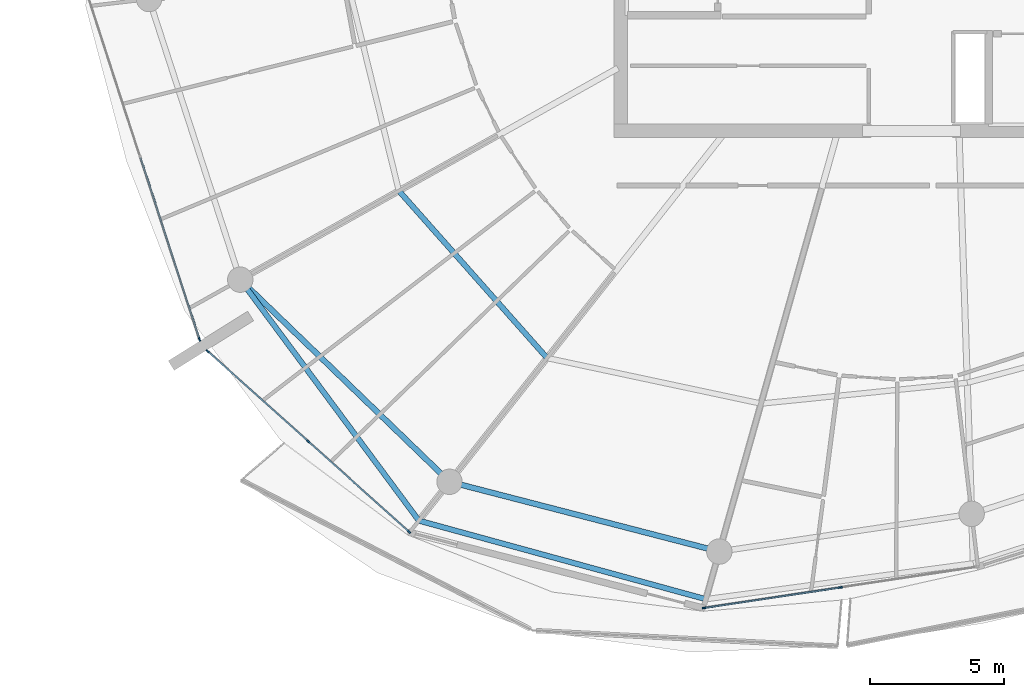
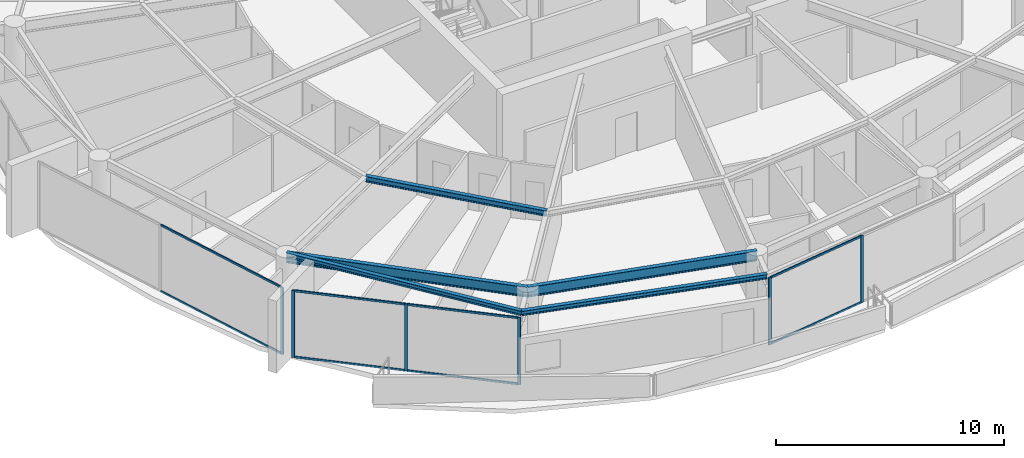
# One storey, part 5 of 29: 14 members, 5 beams, 3 elements without a shape of their own.
"""IFC4 building model written with IfcOpenShell, lengths in metres."""

from ifc_helpers import new_model, si_unit, direction, frame, origin, origin_2d, place, context, subcontext, project, spatial, rectangle, i_section, extrude, material, layer, layer_set, material_profile, profile_set, type_object, element, aggregate, save


model = new_model("IFC4")

# Units and contexts
model_context = context("Model", 3, precision=1e-05, world=origin(), true_north=direction((0.0, 1.0)))
body_context = subcontext(model_context, "Body", "Model", "MODEL_VIEW")
ifc_project = project(units=[si_unit("LENGTHUNIT", "METRE"), si_unit("AREAUNIT", "SQUARE_METRE"), si_unit("VOLUMEUNIT", "CUBIC_METRE"), si_unit("PLANEANGLEUNIT", "RADIAN"), si_unit("MASSUNIT", "GRAM", prefix="KILO")], contexts=[model_context])

# Site, building, storey
site_placement = place(None, origin())
site = spatial("IfcSite", under=ifc_project, at=site_placement, CompositionType="ELEMENT")
building_placement = place(site_placement, origin())
building = spatial("IfcBuilding", under=site, at=building_placement, Name="Kazma Halo Residences", CompositionType="ELEMENT")
storey_placement = place(building_placement, frame((0.0, 0.0, 286.75)))
storey = spatial("IfcBuildingStorey", under=building, at=storey_placement, Name="L72", CompositionType="ELEMENT", Elevation=286.75)

# Beams
ifc_material_1 = material(Name="Steel S355", Category="steel")
ifc_material_profile_1 = material_profile(ifc_material_1, i_section(OverallWidth=0.201904296875, OverallDepth=0.2470703125, WebThickness=0.00732421875, FlangeThickness=0.010986328125, FilletRadius=0.011962890625, at=origin_2d()), Name="W250x49.1")
ifc_profile_set_1 = profile_set([ifc_material_profile_1], Name="Steel S355")
beam_type_1 = type_object("IfcBeamType", Name="BM-BAL-CANT", PredefinedType="BEAM", material=ifc_profile_set_1)
beam_1_placement = place(storey_placement, frame((23.32958984375, 28.18408203125, 3.466552734375), z_axis=(0.595556062515, -0.803313747176, 0.0), x_axis=(0.803313747176, 0.595556062515, 0.0)))
element("IfcBeam", 1, at=beam_1_placement, inside=storey, type_object=beam_type_1, Name="L72 wave-balcony lead tie beam 09", PredefinedType="BEAM", context=body_context, shape_type="SweptSolid", body=[
    extrude(i_section(OverallWidth=0.201904296875, OverallDepth=0.2470703125, WebThickness=0.00732421875, FlangeThickness=0.010986328125, FilletRadius=0.011962890625, at=origin_2d()), origin(), (0.0, 0.0, 1.0), 11.213134765625),
])
beam_2_placement = place(storey_placement, frame((30.007568359375, 19.176513671875, 3.466552734375), z_axis=(0.964514665976, -0.264029277006, 0.0), x_axis=(0.264029277006, 0.964514665976, 0.0)))
element("IfcBeam", 2, at=beam_2_placement, inside=storey, type_object=beam_type_1, Name="L72 wave-balcony tie beam 10", PredefinedType="BEAM", context=body_context, shape_type="SweptSolid", body=[
    extrude(i_section(OverallWidth=0.201904296875, OverallDepth=0.2470703125, WebThickness=0.00732421875, FlangeThickness=0.010986328125, FilletRadius=0.011962890625, at=origin_2d()), origin(), (0.0, 0.0, 1.0), 11.1220703125),
])
ifc_material_profile_2 = material_profile(ifc_material_1, i_section(OverallWidth=0.202880859375, OverallDepth=0.302978515625, WebThickness=0.007568359375, FlangeThickness=0.01318359375, FilletRadius=0.013916015625, at=origin_2d()), Name="W310x60")
ifc_profile_set_2 = profile_set([ifc_material_profile_2], Name="Steel S355")
beam_type_2 = type_object("IfcBeamType", Name="BM-SEC-W310A", PredefinedType="JOIST", material=ifc_profile_set_2)
beam_3_placement = place(storey_placement, frame((29.26025390625, 31.505126953125, 3.4384765625), z_axis=(0.663307142238, -0.748347269024, 0.0), x_axis=(0.748347269024, 0.663307142238, 0.0)))
element("IfcBeam", 3, at=beam_3_placement, inside=storey, type_object=beam_type_2, Name="L72 circumferential floor joist 09", PredefinedType="JOIST", context=body_context, shape_type="SweptSolid", body=[
    extrude(i_section(OverallWidth=0.202880859375, OverallDepth=0.302978515625, WebThickness=0.007568359375, FlangeThickness=0.01318359375, FilletRadius=0.013916015625, at=origin_2d()), origin(), (0.0, 0.0, 1.0), 8.351318359375),
])
ifc_material_profile_3 = material_profile(ifc_material_1, i_section(OverallWidth=0.208984375, OverallDepth=0.532958984375, WebThickness=0.01025390625, FlangeThickness=0.015625, FilletRadius=0.01611328125, at=origin_2d()), Name="W530x92")
ifc_profile_set_3 = profile_set([ifc_material_profile_3], Name="Steel S355")
beam_type_3 = type_object("IfcBeamType", Name="BM-SPN-W530", PredefinedType="BEAM", material=ifc_profile_set_3)
beam_4_placement = place(storey_placement, frame((23.32958984375, 28.18408203125, 3.323486328125), z_axis=(0.719345757929, -0.694652201141, 0.0), x_axis=(0.694652201141, 0.719345757929, 0.0)))
element("IfcBeam", 4, at=beam_4_placement, inside=storey, type_object=beam_type_3, Name="L72 perimeter ring beam 09", PredefinedType="BEAM", context=body_context, shape_type="SweptSolid", body=[
    extrude(i_section(OverallWidth=0.208984375, OverallDepth=0.532958984375, WebThickness=0.01025390625, FlangeThickness=0.015625, FilletRadius=0.01611328125, at=origin_2d()), origin(), (0.0, 0.0, 1.0), 10.87548828125),
])
beam_5_placement = place(storey_placement, frame((31.15283203125, 20.62939453125, 3.323486328125), z_axis=(0.968126042852, -0.250463500639, 0.0), x_axis=(0.250463500639, 0.968126042852, 0.0)))
element("IfcBeam", 5, at=beam_5_placement, inside=storey, type_object=beam_type_3, Name="L72 perimeter ring beam 10", PredefinedType="BEAM", context=body_context, shape_type="SweptSolid", body=[
    extrude(i_section(OverallWidth=0.208984375, OverallDepth=0.532958984375, WebThickness=0.01025390625, FlangeThickness=0.015625, FilletRadius=0.01611328125, at=origin_2d()), origin(), (0.0, 0.0, 1.0), 10.416259765625),
])

# Curtain wall, member
ifc_material_2 = material(Name="Aluminium AW-6063 T6 and Triple-Silver Low-E Glass", Category="aluminium")
ifc_layer = layer(ifc_material_2, 0.139892578125)
ifc_layer_set = layer_set([ifc_layer], Name="Aluminium AW-6063 T6 and Triple-Silver Low-E Glass")
curtain_wall_type = type_object("IfcCurtainWallType", Name="CW-SYS-5", PredefinedType="NOTDEFINED", material=ifc_layer_set)
curtain_wall_1_placement = place(storey_placement, origin())
curtain_wall_1 = element("IfcCurtainWall", 6, at=curtain_wall_1_placement, inside=storey, type_object=curtain_wall_type, Name="L72 unitised curtain wall B08", PredefinedType="NOTDEFINED")
ifc_material_3 = material(Name="Aluminium AW-6063 T6", Category="aluminium")
ifc_material_profile_4 = material_profile(ifc_material_3, rectangle(XDim=0.06005859375, YDim=0.139892578125, at=origin_2d()), Name="CWM-60x140")
ifc_profile_set_4 = profile_set([ifc_material_profile_4], Name="Aluminium AW-6063 T6")
member_type_1 = type_object("IfcMemberType", Name="CW-SYS-5-MUL", PredefinedType="MULLION", material=ifc_profile_set_4)
member_1_placement = place(storey_placement, frame((21.8076171875, 25.9521484375, 0.0), z_axis=(0.0, 0.0, 1.0), x_axis=(0.951058464359, 0.309010998786, 0.0)))
member_1 = element("IfcMember", 7, at=member_1_placement, type_object=member_type_1, Name="CWS-5 mullion 3", PredefinedType="MULLION", context=body_context, shape_type="SweptSolid", body=[
    extrude(rectangle(XDim=0.06005859375, YDim=0.139892578125, at=origin_2d()), origin(), (0.0, 0.0, 1.0), 3.590087890625),
])

# Curtain wall, members
curtain_wall_2_placement = place(storey_placement, origin())
curtain_wall_2 = element("IfcCurtainWall", 8, at=curtain_wall_2_placement, inside=storey, type_object=curtain_wall_type, Name="L72 unitised curtain wall B09", PredefinedType="NOTDEFINED")
member_2_placement = place(storey_placement, frame((22.11669921875, 25.508056640625, 0.0), z_axis=(0.0, 0.0, 1.0), x_axis=(0.667804826958, 0.744336424671, 0.0)))
member_2 = element("IfcMember", 9, at=member_2_placement, type_object=member_type_1, Name="CWS-5 mullion 1", PredefinedType="MULLION", context=body_context, shape_type="SweptSolid", body=[
    extrude(rectangle(XDim=0.06005859375, YDim=0.139892578125, at=origin_2d()), origin(), (0.0, 0.0, 1.0), 3.590087890625),
])
member_3_placement = place(storey_placement, frame((25.878173828125, 22.13330078125, 0.0), z_axis=(0.0, 0.0, 1.0), x_axis=(0.667804826958, 0.744336424671, 0.0)))
member_3 = element("IfcMember", 10, at=member_3_placement, type_object=member_type_1, Name="CWS-5 mullion 2", PredefinedType="MULLION", context=body_context, shape_type="SweptSolid", body=[
    extrude(rectangle(XDim=0.06005859375, YDim=0.139892578125, at=origin_2d()), origin(), (0.0, 0.0, 1.0), 3.590087890625),
])
member_4_placement = place(storey_placement, frame((29.6396484375, 18.758544921875, 0.0), z_axis=(0.0, 0.0, 1.0), x_axis=(0.667804826958, 0.744336424671, 0.0)))
member_4 = element("IfcMember", 11, at=member_4_placement, type_object=member_type_1, Name="CWS-5 mullion 3", PredefinedType="MULLION", context=body_context, shape_type="SweptSolid", body=[
    extrude(rectangle(XDim=0.06005859375, YDim=0.139892578125, at=origin_2d()), origin(), (0.0, 0.0, 1.0), 3.590087890625),
])

curtain_wall_3_placement = place(storey_placement, origin())
curtain_wall_3 = element("IfcCurtainWall", 12, at=curtain_wall_3_placement, inside=storey, type_object=curtain_wall_type, Name="L72 unitised curtain wall B11", PredefinedType="NOTDEFINED")
member_5_placement = place(storey_placement, frame((40.671142578125, 15.912841796875, 0.0), z_axis=(0.0, 0.0, 1.0), x_axis=(-0.148697080374, 0.988882792998, 0.0)))
member_5 = element("IfcMember", 13, at=member_5_placement, type_object=member_type_1, Name="CWS-5 mullion 1", PredefinedType="MULLION", context=body_context, shape_type="SweptSolid", body=[
    extrude(rectangle(XDim=0.06005859375, YDim=0.139892578125, at=origin_2d()), origin(), (0.0, 0.0, 1.0), 3.590087890625),
])
member_6_placement = place(storey_placement, frame((45.7734375, 16.679931640625, 0.0), z_axis=(0.0, 0.0, 1.0), x_axis=(-0.148697080374, 0.988882792998, 0.0)))
member_6 = element("IfcMember", 14, at=member_6_placement, type_object=member_type_1, Name="CWS-5 mullion 2", PredefinedType="MULLION", context=body_context, shape_type="SweptSolid", body=[
    extrude(rectangle(XDim=0.06005859375, YDim=0.139892578125, at=origin_2d()), origin(), (0.0, 0.0, 1.0), 3.590087890625),
])

# Member
ifc_material_profile_5 = material_profile(ifc_material_3, rectangle(XDim=0.06005859375, YDim=0.10498046875, at=origin_2d()), Name="CWT-60x105")
ifc_profile_set_5 = profile_set([ifc_material_profile_5], Name="Aluminium AW-6063 T6")
member_type_2 = type_object("IfcMemberType", Name="CW-SYS-5-TRN", PredefinedType="USERDEFINED", material=ifc_profile_set_5)
member_7_placement = place(storey_placement, frame((19.6015625, 32.7412109375, 0.030029296875), z_axis=(0.309027052142, -0.95105324827, 0.0), x_axis=(0.95105324827, 0.309027052142, 0.0)))
member_7 = element("IfcMember", 15, at=member_7_placement, type_object=member_type_2, Name="CWS-5 transom 2.1", ObjectType="TRANSOM", PredefinedType="USERDEFINED", context=body_context, shape_type="SweptSolid", body=[
    extrude(rectangle(XDim=0.06005859375, YDim=0.10498046875, at=origin_2d()), origin(), (0.0, 0.0, 1.0), 7.108642578125),
])

member_8_placement = place(storey_placement, frame((19.6015625, 32.7412109375, 3.56005859375), z_axis=(0.309027052142, -0.95105324827, 0.0), x_axis=(0.95105324827, 0.309027052142, 0.0)))
member_8 = element("IfcMember", 16, at=member_8_placement, type_object=member_type_2, Name="CWS-5 transom 2.2", ObjectType="TRANSOM", PredefinedType="USERDEFINED", context=body_context, shape_type="SweptSolid", body=[
    extrude(rectangle(XDim=0.06005859375, YDim=0.10498046875, at=origin_2d()), origin(), (0.0, 0.0, 1.0), 7.108642578125),
])

aggregate(curtain_wall_1, [member_1, member_7, member_8])

member_9_placement = place(storey_placement, frame((22.138916015625, 25.488037109375, 0.030029296875), z_axis=(0.744328897483, -0.667813216679, 0.0), x_axis=(0.667813216679, 0.744328897483, 0.0)))
member_9 = element("IfcMember", 17, at=member_9_placement, type_object=member_type_2, Name="CWS-5 transom 1.1", ObjectType="TRANSOM", PredefinedType="USERDEFINED", context=body_context, shape_type="SweptSolid", body=[
    extrude(rectangle(XDim=0.06005859375, YDim=0.10498046875, at=origin_2d()), origin(), (0.0, 0.0, 1.0), 4.993408203125),
])

member_10_placement = place(storey_placement, frame((22.138916015625, 25.488037109375, 3.56005859375), z_axis=(0.744328897483, -0.667813216679, 0.0), x_axis=(0.667813216679, 0.744328897483, 0.0)))
member_10 = element("IfcMember", 18, at=member_10_placement, type_object=member_type_2, Name="CWS-5 transom 1.2", ObjectType="TRANSOM", PredefinedType="USERDEFINED", context=body_context, shape_type="SweptSolid", body=[
    extrude(rectangle(XDim=0.06005859375, YDim=0.10498046875, at=origin_2d()), origin(), (0.0, 0.0, 1.0), 4.993408203125),
])

member_11_placement = place(storey_placement, frame((25.900390625, 22.11328125, 0.030029296875), z_axis=(0.744350700793, -0.667788914425, 0.0), x_axis=(0.667788914425, 0.744350700793, 0.0)))
member_11 = element("IfcMember", 19, at=member_11_placement, type_object=member_type_2, Name="CWS-5 transom 2.1", ObjectType="TRANSOM", PredefinedType="USERDEFINED", context=body_context, shape_type="SweptSolid", body=[
    extrude(rectangle(XDim=0.06005859375, YDim=0.10498046875, at=origin_2d()), origin(), (0.0, 0.0, 1.0), 4.99365234375),
])

member_12_placement = place(storey_placement, frame((25.900390625, 22.11328125, 3.56005859375), z_axis=(0.744350700793, -0.667788914425, 0.0), x_axis=(0.667788914425, 0.744350700793, 0.0)))
member_12 = element("IfcMember", 20, at=member_12_placement, type_object=member_type_2, Name="CWS-5 transom 2.2", ObjectType="TRANSOM", PredefinedType="USERDEFINED", context=body_context, shape_type="SweptSolid", body=[
    extrude(rectangle(XDim=0.06005859375, YDim=0.10498046875, at=origin_2d()), origin(), (0.0, 0.0, 1.0), 4.99365234375),
])

aggregate(curtain_wall_2, [member_2, member_3, member_4, member_9, member_10, member_11, member_12])

member_13_placement = place(storey_placement, frame((40.70068359375, 15.917236328125, 0.030029296875), z_axis=(0.988883972013, 0.148689239341, 0.0), x_axis=(-0.148689239341, 0.988883972013, 0.0)))
member_13 = element("IfcMember", 21, at=member_13_placement, type_object=member_type_2, Name="CWS-5 transom 1.1", ObjectType="TRANSOM", PredefinedType="USERDEFINED", context=body_context, shape_type="SweptSolid", body=[
    extrude(rectangle(XDim=0.06005859375, YDim=0.10498046875, at=origin_2d()), origin(), (0.0, 0.0, 1.0), 5.099853515625),
])

member_14_placement = place(storey_placement, frame((40.70068359375, 15.917236328125, 3.56005859375), z_axis=(0.988883972013, 0.148689239341, 0.0), x_axis=(-0.148689239341, 0.988883972013, 0.0)))
member_14 = element("IfcMember", 22, at=member_14_placement, type_object=member_type_2, Name="CWS-5 transom 1.2", ObjectType="TRANSOM", PredefinedType="USERDEFINED", context=body_context, shape_type="SweptSolid", body=[
    extrude(rectangle(XDim=0.06005859375, YDim=0.10498046875, at=origin_2d()), origin(), (0.0, 0.0, 1.0), 5.099853515625),
])

aggregate(curtain_wall_3, [member_5, member_6, member_13, member_14])

save(model, "model.ifc")
